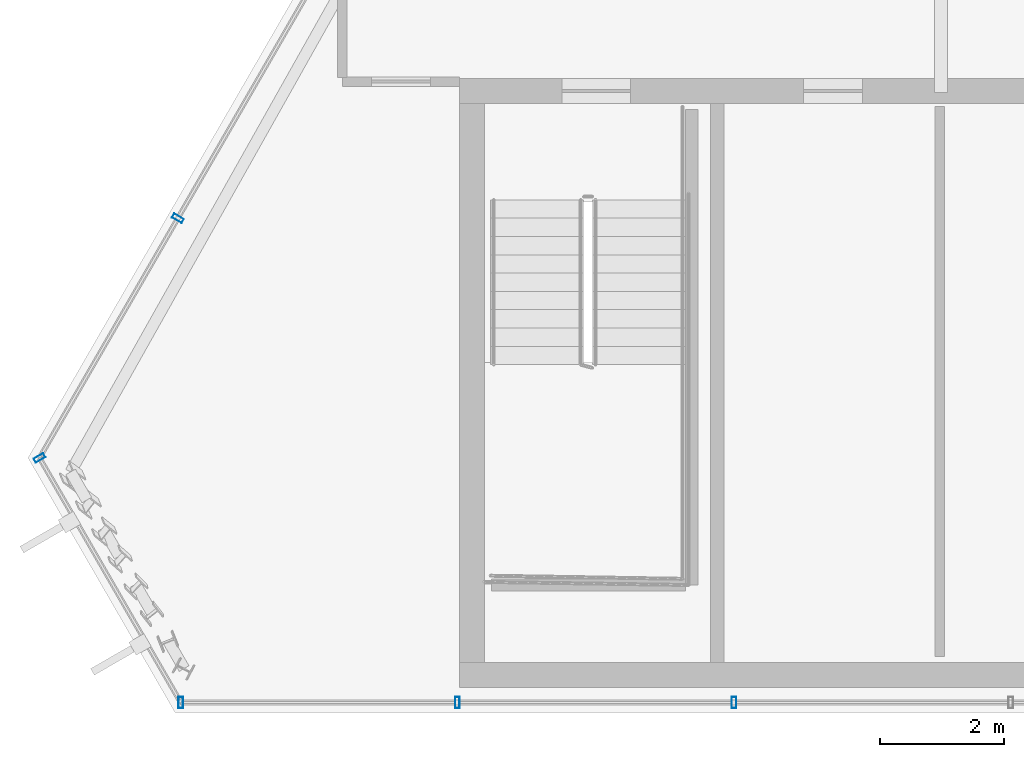
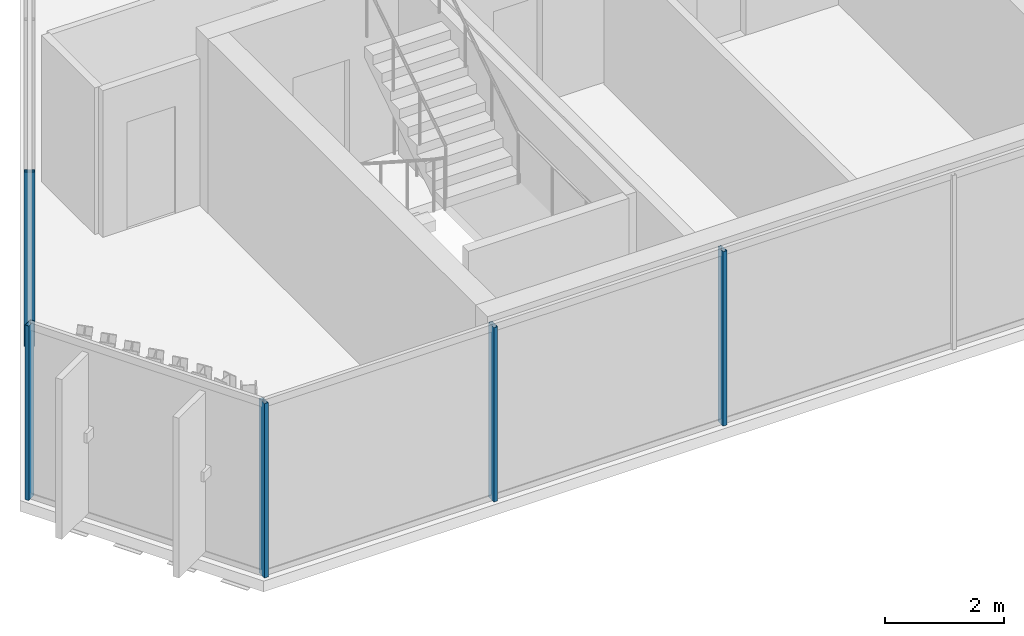
# One storey, part 3 of 32: 5 members, 3 elements without a shape of their own.
"""IFC4 building model written with IfcOpenShell, lengths in metres."""

import ifcopenshell
import ifcopenshell.guid

model = None  # the IFC model being written
_history = None  # IfcOwnerHistory: only IFC2X3 demands one
_inside = {}  # id of a spatial element -> (the spatial element, [elements in it])
_under = {}  # id of a project, library or spatial element -> (it, [spatial elements below it])
_declared = {}  # id of a project -> (the project, [libraries it declares])
_typed = {}  # id of a type object -> (the type object, [elements of that type])
_made_of = {}  # id of a material, layer set ... -> (it, [elements and type objects made of it])


def new_model(schema):
    """Start an empty IFC model of exactly this schema.

    Asked for "IFC4X3", IfcOpenShell would pick the latest addendum, in which some entities
    have other attributes; the version numbers below select the first issue.
    IFC2X3 requires an IfcOwnerHistory on every rooted entity: one is made here for all.
    """
    global model, _history
    if schema == "IFC4X3":
        model = ifcopenshell.file(schema_version=(4, 3, 0, 0))
    else:
        model = ifcopenshell.file(schema=schema)
    _inside.clear()
    _under.clear()
    _declared.clear()
    _typed.clear()
    _made_of.clear()
    _history = None
    if model.schema == "IFC2X3":
        org = make("IfcOrganization", Name="unknown")
        user = make(
            "IfcPersonAndOrganization",
            ThePerson=make("IfcPerson", FamilyName="unknown"),
            TheOrganization=org,
        )
        app = make(
            "IfcApplication",
            ApplicationDeveloper=org,
            Version="unknown",
            ApplicationFullName="unknown",
            ApplicationIdentifier="unknown",
        )
        _history = make(
            "IfcOwnerHistory",
            OwningUser=user,
            OwningApplication=app,
            ChangeAction="ADDED",
            CreationDate=0,
        )
    return model


def make(cls, **values):
    """One entity of the class cls with the attributes given. An attribute that is None is left unset."""
    return model.create_entity(
        cls, **{name: value for name, value in values.items() if value is not None}
    )


def rooted(cls, **values):
    """An entity with a GlobalId (a new one), such as an element, a storey or a relation."""
    return make(cls, GlobalId=ifcopenshell.guid.new(), OwnerHistory=_history, **values)


def si_unit(unit_type, name, prefix=None):
    """IfcSIUnit, for example si_unit("LENGTHUNIT", "METRE", prefix="MILLI")."""
    return make("IfcSIUnit", UnitType=unit_type, Prefix=prefix, Name=name)


def assignment(units):
    """IfcUnitAssignment: the units of a project."""
    return None if units is None else make("IfcUnitAssignment", Units=units)


def point(xyz):
    """IfcCartesianPoint."""
    return None if xyz is None else make("IfcCartesianPoint", Coordinates=xyz)


def direction(xyz):
    """IfcDirection."""
    return None if xyz is None else make("IfcDirection", DirectionRatios=xyz)


def frame(location, z_axis=None, x_axis=None):
    """IfcAxis2Placement3D, a coordinate frame: its origin and axes. An axis left out is left unset."""
    return make(
        "IfcAxis2Placement3D",
        Location=point(location),
        Axis=direction(z_axis),
        RefDirection=direction(x_axis),
    )


def frame_2d(location, x_axis=None):
    """IfcAxis2Placement2D, a coordinate frame in the plane: its origin and x axis."""
    return make(
        "IfcAxis2Placement2D", Location=point(location), RefDirection=direction(x_axis)
    )


def origin():
    """The frame at (0, 0, 0) with its axes left unset."""
    return frame((0.0, 0.0, 0.0))


def origin_2d():
    """The frame at (0, 0) in the plane with its x axis left unset."""
    return frame_2d((0.0, 0.0))


def place(relative_to, where):
    """IfcLocalPlacement: puts the frame where relative to a parent placement (None: the world)."""
    return make(
        "IfcLocalPlacement", PlacementRelTo=relative_to, RelativePlacement=where
    )


def context(
    kind, dimensions, precision=None, world=None, true_north=None, identifier=None
):
    """IfcGeometricRepresentationContext, for example the 3D "Model" context."""
    return make(
        "IfcGeometricRepresentationContext",
        ContextIdentifier=identifier,
        ContextType=kind,
        CoordinateSpaceDimension=dimensions,
        Precision=precision,
        WorldCoordinateSystem=world,
        TrueNorth=true_north,
    )


def subcontext(parent, identifier, kind, view, scale=None):
    """IfcGeometricRepresentationSubContext, for example "Body" below "Model"."""
    return make(
        "IfcGeometricRepresentationSubContext",
        ContextIdentifier=identifier,
        ContextType=kind,
        ParentContext=parent,
        TargetScale=scale,
        TargetView=view,
    )


def project(units=None, contexts=None):
    """IfcProject with its units and contexts."""
    return rooted(
        "IfcProject",
        Name="project",
        RepresentationContexts=contexts,
        UnitsInContext=assignment(units),
    )


def spatial(cls, under=None, at=None, **own):
    """A site, building, storey or space (cls), placed at a placement, below another one or the project."""
    s = rooted(cls, ObjectPlacement=at, **own)
    if under is not None:
        _under.setdefault(under.id(), (under, []))[1].append(s)
    return s


def profile(cls, at=None, kind="AREA", **sizes):
    """A parametric profile (cls). Its sizes go by their IFC names, for example OverallWidth=200.0."""
    return make(cls, ProfileType=kind, Position=at, **sizes)


def hollow_rectangle(**sizes):
    """IfcRectangleHollowProfileDef."""
    return profile("IfcRectangleHollowProfileDef", **sizes)


def extrude(swept, where, along, depth):
    """IfcExtrudedAreaSolid: the profile swept, set in the frame where, extruded along a direction by depth."""
    return make(
        "IfcExtrudedAreaSolid",
        SweptArea=swept,
        Position=where,
        ExtrudedDirection=direction(along),
        Depth=depth,
    )


def shape(context_of_items, identifier, shape_type, items):
    """IfcShapeRepresentation: the items that make up one representation, for example the "Body"."""
    return make(
        "IfcShapeRepresentation",
        ContextOfItems=context_of_items,
        RepresentationIdentifier=identifier,
        RepresentationType=shape_type,
        Items=items,
    )


def material(Name=None, Category=None):
    """IfcMaterial."""
    return make("IfcMaterial", Name=Name, Category=Category)


def layer(
    of_material, thickness, ventilated=None, Name=None, Category=None, Priority=None
):
    """IfcMaterialLayer: one layer of a wall or slab, of a material (None: an air gap)."""
    return make(
        "IfcMaterialLayer",
        Material=of_material,
        LayerThickness=thickness,
        IsVentilated=ventilated,
        Name=Name,
        Category=Category,
        Priority=Priority,
    )


def layer_set(layers, Name=None):
    """IfcMaterialLayerSet."""
    return make("IfcMaterialLayerSet", MaterialLayers=layers, LayerSetName=Name)


def material_profile(
    of_material, cross_section, Name=None, Category=None, Priority=None
):
    """IfcMaterialProfile: a cross section and its material."""
    return make(
        "IfcMaterialProfile",
        Name=Name,
        Material=of_material,
        Profile=cross_section,
        Priority=Priority,
        Category=Category,
    )


def profile_set(profiles, Name=None, composite=None):
    """IfcMaterialProfileSet."""
    return make(
        "IfcMaterialProfileSet",
        Name=Name,
        MaterialProfiles=profiles,
        CompositeProfile=composite,
    )


def made_of(thing, what):
    """Note that an element or type object is made of a material, layer set ...; save() writes the relation."""
    if what is not None:
        _made_of.setdefault(what.id(), (what, []))[1].append(thing)
    return thing


def type_object(cls, material=None, **own):
    """A type object (cls), such as IfcWallType, which elements share."""
    return made_of(rooted(cls, **own), material)


def element(
    cls,
    number,
    at=None,
    inside=None,
    cuts=None,
    type_object=None,
    material=None,
    context=None,
    identifier="Body",
    shape_type=None,
    held_by="IfcProductDefinitionShape",
    body=None,
    shapes=None,
    **own,
):
    """One element of the class cls, such as IfcWall. Its Tag is "e" and its number.

    at: its placement. inside: the storey or other place that contains it. cuts: it is an
    opening in that element (IfcRelVoidsElement). A single representation is given by context,
    identifier, shape_type and body (its items); several are given by shapes. held_by: the class
    of the entity that holds the representations. save() writes the other relations.
    """
    e = rooted(cls, Tag="e%d" % number, ObjectPlacement=at, **own)
    if body is not None:
        shapes = [shape(context, identifier, shape_type, body)]
    if shapes is not None:
        e.Representation = make(held_by, Representations=shapes)
    if inside is not None:
        _inside.setdefault(inside.id(), (inside, []))[1].append(e)
    if cuts is not None:
        rooted(
            "IfcRelVoidsElement", RelatingBuildingElement=cuts, RelatedOpeningElement=e
        )
    if type_object is not None:
        _typed.setdefault(type_object.id(), (type_object, []))[1].append(e)
    return made_of(e, material)


def aggregate(whole, parts):
    """IfcRelAggregates: a whole, such as a stair, and the parts it consists of."""
    return rooted("IfcRelAggregates", RelatingObject=whole, RelatedObjects=parts)


def save(model, path):
    """Write the relations noted so far, then the file.

    IfcRelAggregates (storeys below a building ...), IfcRelContainedInSpatialStructure (elements
    in a storey), IfcRelDefinesByType, IfcRelAssociatesMaterial and IfcRelDeclares: one each for
    every whole, place, type object, material and project.
    """
    for whole, parts in _under.values():
        aggregate(whole, parts)
    for where, things in _inside.values():
        rooted(
            "IfcRelContainedInSpatialStructure",
            RelatedElements=things,
            RelatingStructure=where,
        )
    for kind, things in _typed.values():
        rooted("IfcRelDefinesByType", RelatedObjects=things, RelatingType=kind)
    for what, things in _made_of.values():
        rooted("IfcRelAssociatesMaterial", RelatedObjects=things, RelatingMaterial=what)
    for by, libraries in _declared.values():
        rooted("IfcRelDeclares", RelatingContext=by, RelatedDefinitions=libraries)
    model.write(path)


model = new_model("IFC4")

# Units and contexts
model_context = context("Model", 3, precision=1e-05, world=origin(), true_north=direction((0.0, 1.0)))
body_context = subcontext(model_context, "Body", "Model", "MODEL_VIEW")
ifc_project = project(units=[si_unit("LENGTHUNIT", "METRE"), si_unit("AREAUNIT", "SQUARE_METRE"), si_unit("VOLUMEUNIT", "CUBIC_METRE"), si_unit("PLANEANGLEUNIT", "RADIAN"), si_unit("MASSUNIT", "GRAM", prefix="KILO")], contexts=[model_context])

# Site, building, storey
site_placement = place(None, origin())
site = spatial("IfcSite", under=ifc_project, at=site_placement, CompositionType="ELEMENT")
building_placement = place(site_placement, origin())
building = spatial("IfcBuilding", under=site, at=building_placement, Name="Ndaravel Arena Tower", CompositionType="ELEMENT")
storey_placement = place(building_placement, frame((0.0, 0.0, 290.89990234375)))
storey = spatial("IfcBuildingStorey", under=building, at=storey_placement, Name="L71", CompositionType="ELEMENT", Elevation=290.89990234375)

# Curtain wall, members
ifc_material_1 = material(Name="Aluminium", Category="aluminium")
ifc_layer_1 = layer(ifc_material_1, 0.179931640625)
ifc_layer_set_1 = layer_set([ifc_layer_1], Name="Aluminium")
curtain_wall_type_1 = type_object("IfcCurtainWallType", Name="CW-SYS-03", PredefinedType="NOTDEFINED", material=ifc_layer_set_1)
curtain_wall_1_placement = place(storey_placement, origin())
curtain_wall_1 = element("IfcCurtainWall", 1, at=curtain_wall_1_placement, inside=storey, type_object=curtain_wall_type_1, Name="L71 Faceted Crystal Curtain Wall CW-L71-E01", PredefinedType="NOTDEFINED")
ifc_material_2 = material(Name="Aluminium", Category="aluminium")
ifc_material_profile = material_profile(ifc_material_2, hollow_rectangle(XDim=0.074951171875, YDim=0.179931640625, WallThickness=0.00390625, at=origin_2d()), Name="CW MULLION 75x180x4")
ifc_profile_set = profile_set([ifc_material_profile], Name="Aluminium")
member_type = type_object("IfcMemberType", Name="MEM-CW-MUL180", PredefinedType="MULLION", material=ifc_profile_set)
member_1_placement = place(storey_placement, frame((21.96484375, 5.159912109375, 0.0), z_axis=(0.0, 0.0, 1.0), x_axis=(1.0, 0.0, 0.0)))
member_1 = element("IfcMember", 2, at=member_1_placement, type_object=member_type, Name="CW-L71-E01 Mullion 00", PredefinedType="MULLION", context=body_context, shape_type="SweptSolid", body=[
    extrude(hollow_rectangle(XDim=0.074951171875, YDim=0.179931640625, WallThickness=0.00390625, at=origin_2d()), origin(), (0.0, 0.0, 1.0), 3.580078125),
])
member_2_placement = place(storey_placement, frame((26.4169921875, 5.159912109375, 0.0), z_axis=(0.0, 0.0, 1.0), x_axis=(1.0, 0.0, 0.0)))
member_2 = element("IfcMember", 3, at=member_2_placement, type_object=member_type, Name="CW-L71-E01 Mullion 01", PredefinedType="MULLION", context=body_context, shape_type="SweptSolid", body=[
    extrude(hollow_rectangle(XDim=0.074951171875, YDim=0.179931640625, WallThickness=0.00390625, at=origin_2d()), origin(), (0.0, 0.0, 1.0), 3.580078125),
])
member_3_placement = place(storey_placement, frame((30.869384765625, 5.159912109375, 0.0), z_axis=(0.0, 0.0, 1.0), x_axis=(1.0, 0.0, 0.0)))
member_3 = element("IfcMember", 4, at=member_3_placement, type_object=member_type, Name="CW-L71-E01 Mullion 02", PredefinedType="MULLION", context=body_context, shape_type="SweptSolid", body=[
    extrude(hollow_rectangle(XDim=0.074951171875, YDim=0.179931640625, WallThickness=0.00390625, at=origin_2d()), origin(), (0.0, 0.0, 1.0), 3.580078125),
])
aggregate(curtain_wall_1, [member_1, member_2, member_3])

# Curtain wall, member
curtain_wall_2_placement = place(storey_placement, origin())
curtain_wall_2 = element("IfcCurtainWall", 5, at=curtain_wall_2_placement, inside=storey, type_object=curtain_wall_type_1, Name="L71 Faceted Crystal Curtain Wall CW-L71-E05", PredefinedType="NOTDEFINED")
member_4_placement = place(storey_placement, frame((21.918701171875, 12.95166015625, 0.0), z_axis=(0.0, 0.0, 1.0), x_axis=(-0.5, -0.866025403784, 0.0)))
member_4 = element("IfcMember", 6, at=member_4_placement, type_object=member_type, Name="CW-L71-E05 Mullion 08", PredefinedType="MULLION", context=body_context, shape_type="SweptSolid", body=[
    extrude(hollow_rectangle(XDim=0.074951171875, YDim=0.179931640625, WallThickness=0.00390625, at=origin_2d()), origin(), (0.0, 0.0, 1.0), 3.580078125),
])
aggregate(curtain_wall_2, [member_4])

ifc_material_3 = material(Name="Aluminium", Category="aluminium")
ifc_layer_2 = layer(ifc_material_3, 0.179931640625)
ifc_layer_set_2 = layer_set([ifc_layer_2], Name="Aluminium")
curtain_wall_type_2 = type_object("IfcCurtainWallType", Name="CW-SYS-02", PredefinedType="NOTDEFINED", material=ifc_layer_set_2)
curtain_wall_3_placement = place(storey_placement, origin())
curtain_wall_3 = element("IfcCurtainWall", 7, at=curtain_wall_3_placement, inside=storey, type_object=curtain_wall_type_2, Name="L71 Faceted Crystal Curtain Wall CW-L71-E06", PredefinedType="NOTDEFINED")
member_5_placement = place(storey_placement, frame((19.692626953125, 9.095947265625, 0.0), z_axis=(0.0, 0.0, 1.0), x_axis=(0.499984884929, -0.866034130299, 0.0)))
member_5 = element("IfcMember", 8, at=member_5_placement, type_object=member_type, Name="CW-L71-E06 Mullion 00", PredefinedType="MULLION", context=body_context, shape_type="SweptSolid", body=[
    extrude(hollow_rectangle(XDim=0.074951171875, YDim=0.179931640625, WallThickness=0.00390625, at=origin_2d()), origin(), (0.0, 0.0, 1.0), 3.580078125),
])
aggregate(curtain_wall_3, [member_5])

save(model, "model.ifc")
